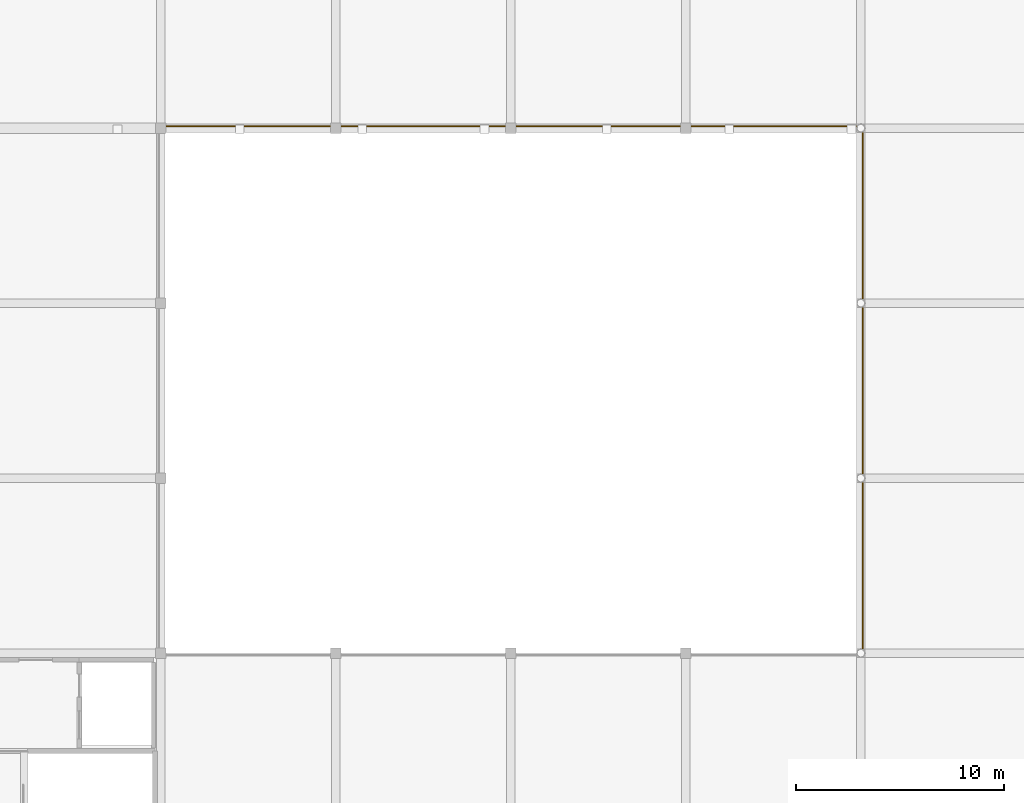
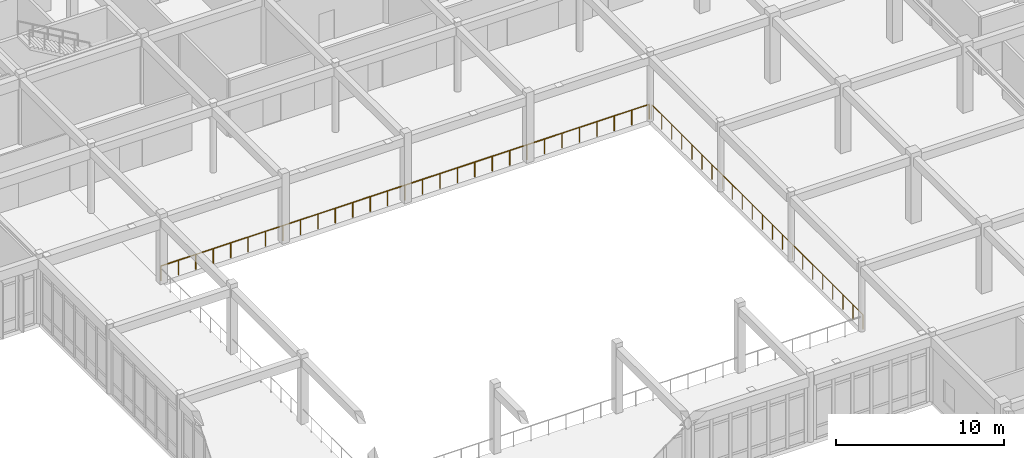
# One storey, part 120 of 134: 2 railings.
"""IFC4 building model written with IfcOpenShell, lengths in metres."""

from ifc_helpers import new_model, si_unit, direction, frame, origin, origin_2d, place, context, subcontext, project, spatial, circle, extrude, material, type_object, element, save


model = new_model("IFC4")

# Units and contexts
model_context = context("Model", 3, precision=1e-05, world=origin(), true_north=direction((0.0, 1.0)))
body_context = subcontext(model_context, "Body", "Model", "MODEL_VIEW")
ifc_project = project(units=[si_unit("LENGTHUNIT", "METRE"), si_unit("AREAUNIT", "SQUARE_METRE"), si_unit("VOLUMEUNIT", "CUBIC_METRE"), si_unit("PLANEANGLEUNIT", "RADIAN"), si_unit("MASSUNIT", "GRAM", prefix="KILO")], contexts=[model_context])

# Site, building, storey
site_placement = place(None, origin())
site = spatial("IfcSite", under=ifc_project, at=site_placement, CompositionType="ELEMENT")
building_placement = place(site_placement, origin())
building = spatial("IfcBuilding", under=site, at=building_placement, Name="Bramfleet General Hospital", CompositionType="ELEMENT")
storey_placement = place(building_placement, frame((0.0, 0.0, 9.300048828125)))
storey = spatial("IfcBuildingStorey", under=building, at=storey_placement, Name="L02", CompositionType="ELEMENT", Elevation=9.300048828125)

# Railings
ifc_material = material(Name="Stainless steel 1.4401 safety balustrade", Category="steel")
railing_type = type_object("IfcRailingType", Name="RAIL-EXT-GUARD", PredefinedType="GUARDRAIL", material=ifc_material)
railing_1_placement = place(storey_placement, frame((92.5, 25.2099609375, 0.0)))
element("IfcRailing", 1, at=railing_1_placement, inside=storey, type_object=railing_type, Name="L02 Safety Guard Rail 114", PredefinedType="GUARDRAIL", context=body_context, shape_type="SweptSolid", body=[
    extrude(circle(Radius=0.02392578125, at=origin_2d()), frame((0.0, 0.0, 1.076171875), z_axis=(0.0, 1.0, 0.0), x_axis=(-1.0, 0.0, 0.0)), (0.0, 0.0, 1.0), 25.179931640625),
    extrude(circle(Radius=0.02099609375, at=origin_2d()), origin(), (0.0, 0.0, 1.0), 1.052001953125),
    extrude(circle(Radius=0.02099609375, at=origin_2d()), frame((0.0, 1.198974609375, 0.0)), (0.0, 0.0, 1.0), 1.052001953125),
    extrude(circle(Radius=0.02099609375, at=origin_2d()), frame((0.0, 2.398193359375, 0.0)), (0.0, 0.0, 1.0), 1.052001953125),
    extrude(circle(Radius=0.02099609375, at=origin_2d()), frame((0.0, 3.59716796875, 0.0)), (0.0, 0.0, 1.0), 1.052001953125),
    extrude(circle(Radius=0.02099609375, at=origin_2d()), frame((0.0, 4.796142578125, 0.0)), (0.0, 0.0, 1.0), 1.052001953125),
    extrude(circle(Radius=0.02099609375, at=origin_2d()), frame((0.0, 5.9951171875, 0.0)), (0.0, 0.0, 1.0), 1.052001953125),
    extrude(circle(Radius=0.02099609375, at=origin_2d()), frame((0.0, 7.1943359375, 0.0)), (0.0, 0.0, 1.0), 1.052001953125),
    extrude(circle(Radius=0.02099609375, at=origin_2d()), frame((0.0, 8.393310546875, 0.0)), (0.0, 0.0, 1.0), 1.052001953125),
    extrude(circle(Radius=0.02099609375, at=origin_2d()), frame((0.0, 9.59228515625, 0.0)), (0.0, 0.0, 1.0), 1.052001953125),
    extrude(circle(Radius=0.02099609375, at=origin_2d()), frame((0.0, 10.79150390625, 0.0)), (0.0, 0.0, 1.0), 1.052001953125),
    extrude(circle(Radius=0.02099609375, at=origin_2d()), frame((0.0, 11.990478515625, 0.0)), (0.0, 0.0, 1.0), 1.052001953125),
    extrude(circle(Radius=0.02099609375, at=origin_2d()), frame((0.0, 13.189453125, 0.0)), (0.0, 0.0, 1.0), 1.052001953125),
    extrude(circle(Radius=0.02099609375, at=origin_2d()), frame((0.0, 14.388427734375, 0.0)), (0.0, 0.0, 1.0), 1.052001953125),
    extrude(circle(Radius=0.02099609375, at=origin_2d()), frame((0.0, 15.587646484375, 0.0)), (0.0, 0.0, 1.0), 1.052001953125),
    extrude(circle(Radius=0.02099609375, at=origin_2d()), frame((0.0, 16.78662109375, 0.0)), (0.0, 0.0, 1.0), 1.052001953125),
    extrude(circle(Radius=0.02099609375, at=origin_2d()), frame((0.0, 17.985595703125, 0.0)), (0.0, 0.0, 1.0), 1.052001953125),
    extrude(circle(Radius=0.02099609375, at=origin_2d()), frame((0.0, 19.184814453125, 0.0)), (0.0, 0.0, 1.0), 1.052001953125),
    extrude(circle(Radius=0.02099609375, at=origin_2d()), frame((0.0, 20.3837890625, 0.0)), (0.0, 0.0, 1.0), 1.052001953125),
    extrude(circle(Radius=0.02099609375, at=origin_2d()), frame((0.0, 21.582763671875, 0.0)), (0.0, 0.0, 1.0), 1.052001953125),
    extrude(circle(Radius=0.02099609375, at=origin_2d()), frame((0.0, 22.78173828125, 0.0)), (0.0, 0.0, 1.0), 1.052001953125),
    extrude(circle(Radius=0.02099609375, at=origin_2d()), frame((0.0, 23.98095703125, 0.0)), (0.0, 0.0, 1.0), 1.052001953125),
    extrude(circle(Radius=0.02099609375, at=origin_2d()), frame((0.0, 25.179931640625, 0.0)), (0.0, 0.0, 1.0), 1.052001953125),
])
railing_2_placement = place(storey_placement, frame((92.389892578125, 50.5, 0.0)))
element("IfcRailing", 2, at=railing_2_placement, inside=storey, type_object=railing_type, Name="L02 Safety Guard Rail 115", PredefinedType="GUARDRAIL", context=body_context, shape_type="SweptSolid", body=[
    extrude(circle(Radius=0.02392578125, at=origin_2d()), frame((0.0, 0.0, 1.076171875), z_axis=(-1.0, 0.0, 0.0), x_axis=(0.0, -1.0, 0.0)), (0.0, 0.0, 1.0), 33.579833984375),
    extrude(circle(Radius=0.02099609375, at=origin_2d()), origin(), (0.0, 0.0, 1.0), 1.052001953125),
    extrude(circle(Radius=0.02099609375, at=origin_2d()), frame((-1.19921875, 0.0, 0.0)), (0.0, 0.0, 1.0), 1.052001953125),
    extrude(circle(Radius=0.02099609375, at=origin_2d()), frame((-2.3984375, 0.0, 0.0)), (0.0, 0.0, 1.0), 1.052001953125),
    extrude(circle(Radius=0.02099609375, at=origin_2d()), frame((-3.597900390625, 0.0, 0.0)), (0.0, 0.0, 1.0), 1.052001953125),
    extrude(circle(Radius=0.02099609375, at=origin_2d()), frame((-4.797119140625, 0.0, 0.0)), (0.0, 0.0, 1.0), 1.052001953125),
    extrude(circle(Radius=0.02099609375, at=origin_2d()), frame((-5.996337890625, 0.0, 0.0)), (0.0, 0.0, 1.0), 1.052001953125),
    extrude(circle(Radius=0.02099609375, at=origin_2d()), frame((-7.19580078125, 0.0, 0.0)), (0.0, 0.0, 1.0), 1.052001953125),
    extrude(circle(Radius=0.02099609375, at=origin_2d()), frame((-8.39501953125, 0.0, 0.0)), (0.0, 0.0, 1.0), 1.052001953125),
    extrude(circle(Radius=0.02099609375, at=origin_2d()), frame((-9.59423828125, 0.0, 0.0)), (0.0, 0.0, 1.0), 1.052001953125),
    extrude(circle(Radius=0.02099609375, at=origin_2d()), frame((-10.79345703125, 0.0, 0.0)), (0.0, 0.0, 1.0), 1.052001953125),
    extrude(circle(Radius=0.02099609375, at=origin_2d()), frame((-11.99267578125, 0.0, 0.0)), (0.0, 0.0, 1.0), 1.052001953125),
    extrude(circle(Radius=0.02099609375, at=origin_2d()), frame((-13.192138671875, 0.0, 0.0)), (0.0, 0.0, 1.0), 1.052001953125),
    extrude(circle(Radius=0.02099609375, at=origin_2d()), frame((-14.391357421875, 0.0, 0.0)), (0.0, 0.0, 1.0), 1.052001953125),
    extrude(circle(Radius=0.02099609375, at=origin_2d()), frame((-15.590576171875, 0.0, 0.0)), (0.0, 0.0, 1.0), 1.052001953125),
    extrude(circle(Radius=0.02099609375, at=origin_2d()), frame((-16.7900390625, 0.0, 0.0)), (0.0, 0.0, 1.0), 1.052001953125),
    extrude(circle(Radius=0.02099609375, at=origin_2d()), frame((-17.9892578125, 0.0, 0.0)), (0.0, 0.0, 1.0), 1.052001953125),
    extrude(circle(Radius=0.02099609375, at=origin_2d()), frame((-19.1884765625, 0.0, 0.0)), (0.0, 0.0, 1.0), 1.052001953125),
    extrude(circle(Radius=0.02099609375, at=origin_2d()), frame((-20.3876953125, 0.0, 0.0)), (0.0, 0.0, 1.0), 1.052001953125),
    extrude(circle(Radius=0.02099609375, at=origin_2d()), frame((-21.5869140625, 0.0, 0.0)), (0.0, 0.0, 1.0), 1.052001953125),
    extrude(circle(Radius=0.02099609375, at=origin_2d()), frame((-22.786376953125, 0.0, 0.0)), (0.0, 0.0, 1.0), 1.052001953125),
    extrude(circle(Radius=0.02099609375, at=origin_2d()), frame((-23.985595703125, 0.0, 0.0)), (0.0, 0.0, 1.0), 1.052001953125),
    extrude(circle(Radius=0.02099609375, at=origin_2d()), frame((-25.184814453125, 0.0, 0.0)), (0.0, 0.0, 1.0), 1.052001953125),
    extrude(circle(Radius=0.02099609375, at=origin_2d()), frame((-26.38427734375, 0.0, 0.0)), (0.0, 0.0, 1.0), 1.052001953125),
    extrude(circle(Radius=0.02099609375, at=origin_2d()), frame((-27.58349609375, 0.0, 0.0)), (0.0, 0.0, 1.0), 1.052001953125),
    extrude(circle(Radius=0.02099609375, at=origin_2d()), frame((-28.78271484375, 0.0, 0.0)), (0.0, 0.0, 1.0), 1.052001953125),
    extrude(circle(Radius=0.02099609375, at=origin_2d()), frame((-29.98193359375, 0.0, 0.0)), (0.0, 0.0, 1.0), 1.052001953125),
    extrude(circle(Radius=0.02099609375, at=origin_2d()), frame((-31.18115234375, 0.0, 0.0)), (0.0, 0.0, 1.0), 1.052001953125),
    extrude(circle(Radius=0.02099609375, at=origin_2d()), frame((-32.380615234375, 0.0, 0.0)), (0.0, 0.0, 1.0), 1.052001953125),
    extrude(circle(Radius=0.02099609375, at=origin_2d()), frame((-33.579833984375, 0.0, 0.0)), (0.0, 0.0, 1.0), 1.052001953125),
])

save(model, "model.ifc")
